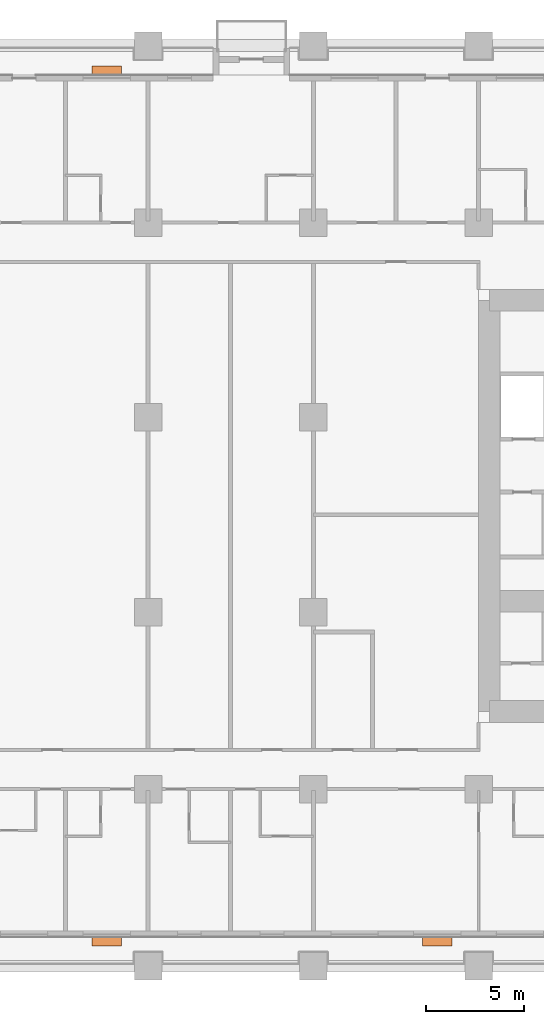
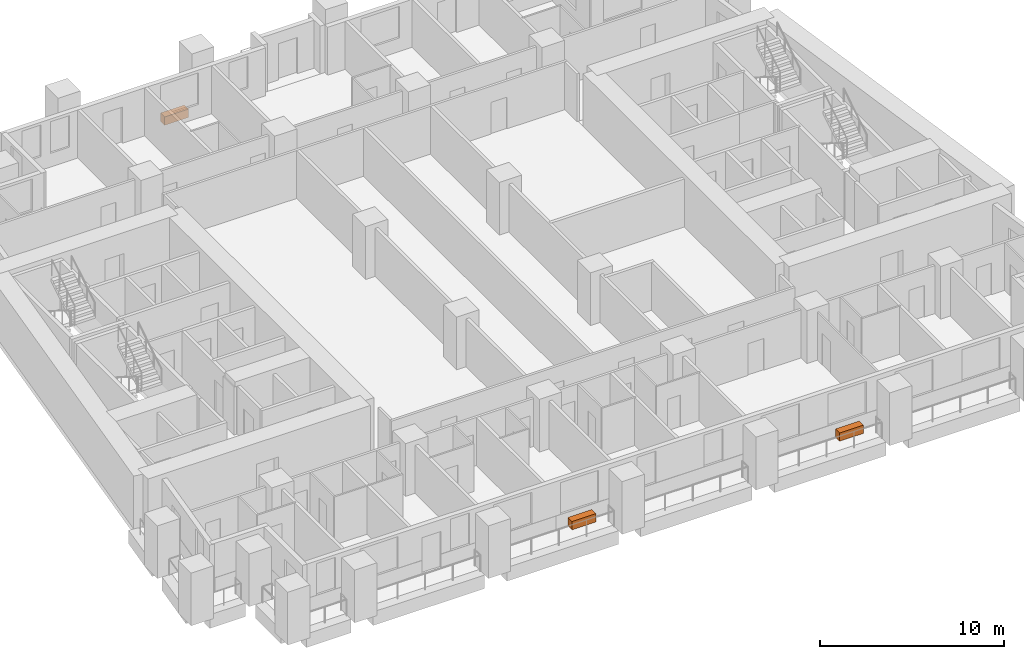
# One storey, part 13 of 13: 3 proxies.
"""IFC4 building model written with IfcOpenShell, lengths in metres."""

from ifc_helpers import new_model, si_unit, direction, frame, origin, origin_2d, place, context, subcontext, project, spatial, rectangle, extrude, element, save


model = new_model("IFC4")

# Units and contexts
model_context = context("Model", 3, precision=1e-05, world=origin(), true_north=direction((0.0, 1.0)))
body_context = subcontext(model_context, "Body", "Model", "MODEL_VIEW")
ifc_project = project(units=[si_unit("LENGTHUNIT", "METRE"), si_unit("AREAUNIT", "SQUARE_METRE"), si_unit("VOLUMEUNIT", "CUBIC_METRE"), si_unit("PLANEANGLEUNIT", "RADIAN"), si_unit("MASSUNIT", "GRAM", prefix="KILO")], contexts=[model_context])

# Site, building, storey
site_placement = place(None, origin())
site = spatial("IfcSite", under=ifc_project, at=site_placement, CompositionType="ELEMENT")
building_placement = place(site_placement, origin())
building = spatial("IfcBuilding", under=site, at=building_placement, Name="Candeia Pilgrim Tower and Theatre", CompositionType="ELEMENT")
storey_placement = place(building_placement, frame((0.0, 0.0, 70.5)))
storey = spatial("IfcBuildingStorey", under=building, at=storey_placement, Name="L15", CompositionType="ELEMENT", Elevation=70.5)

# Proxies
for number, where, z_axis, x_axis, name in (
    (1, (107.10009765625, 99.2548828125, 0.0), (0.0, 0.0, 1.0), (1.0, 0.0, 0.0), "Planter"),
    (2, (123.89990234375, 99.2548828125, 0.0), (0.0, 0.0, 1.0), (1.0, 0.0, 0.0), "Planter"),
    (3, (107.10009765625, 143.544921875, 0.0), (0.0, 0.0, 1.0), (-1.0, 0.0, 0.0), "Planter"),
):
    element("IfcBuildingElementProxy", number, at=place(storey_placement, frame(where, z_axis=z_axis, x_axis=x_axis)), inside=storey, Name=name, ObjectType="PLANTER", PredefinedType="USERDEFINED", context=body_context, shape_type="SweptSolid", body=[
        extrude(rectangle(XDim=1.5, YDim=0.449951171875, at=origin_2d()), origin(), (0.0, 0.0, 1.0), 0.550048828125),
    ])

save(model, "model.ifc")
